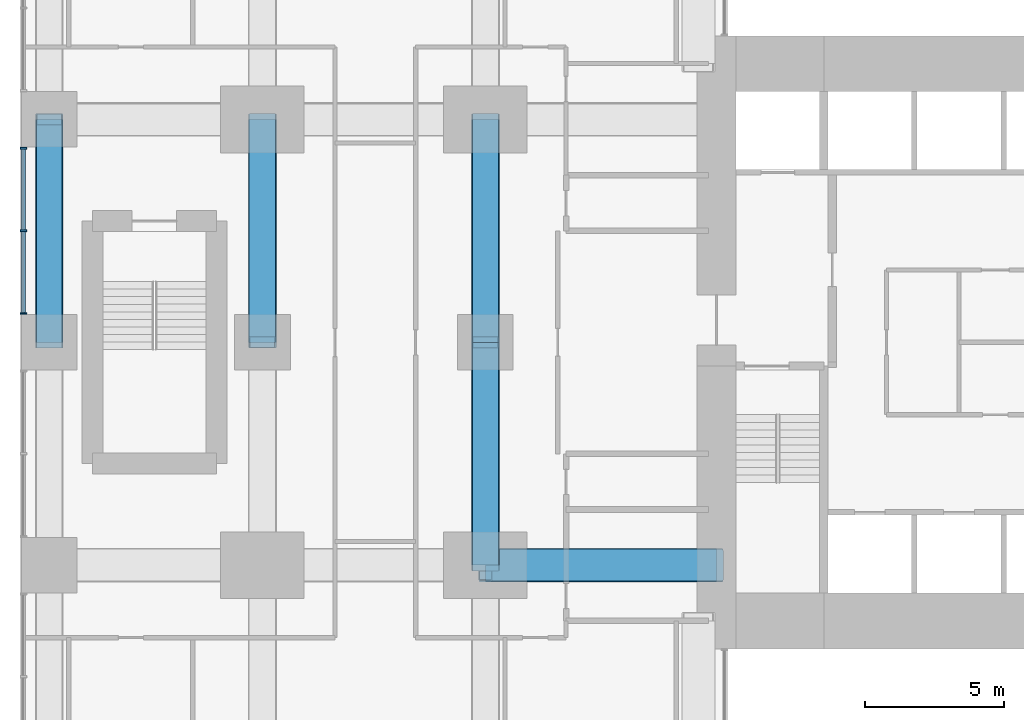
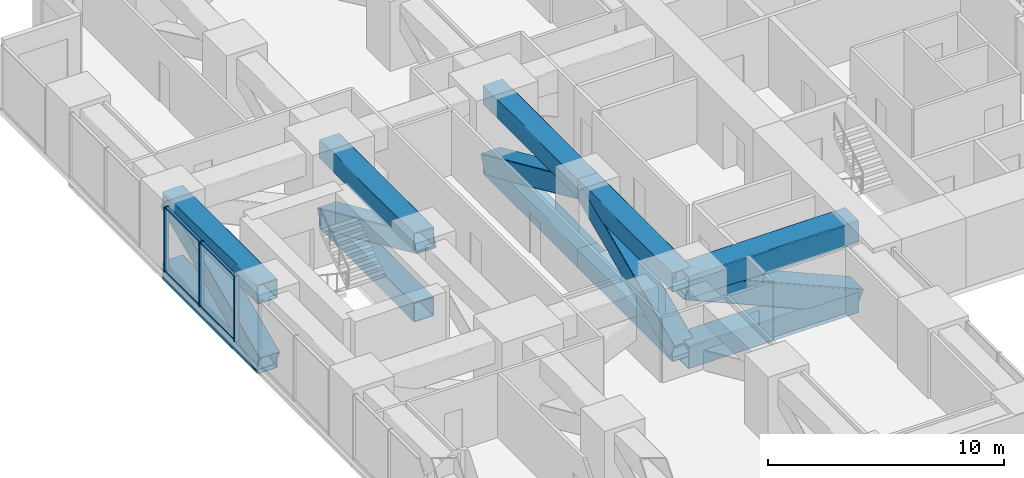
# One storey, part 3 of 15: 22 members, 1 element without a shape of its own.
"""IFC4 building model written with IfcOpenShell, lengths in metres."""

from ifc_helpers import new_model, si_unit, direction, frame, origin, origin_2d, place, context, subcontext, project, spatial, rectangle, hollow_rectangle, extrude, material, layer, layer_set, material_profile, profile_set, type_object, element, aggregate, save


model = new_model("IFC4")

# Units and contexts
model_context = context("Model", 3, precision=1e-05, world=origin(), true_north=direction((0.0, 1.0)))
body_context = subcontext(model_context, "Body", "Model", "MODEL_VIEW")
ifc_project = project(units=[si_unit("LENGTHUNIT", "METRE"), si_unit("AREAUNIT", "SQUARE_METRE"), si_unit("VOLUMEUNIT", "CUBIC_METRE"), si_unit("PLANEANGLEUNIT", "RADIAN"), si_unit("MASSUNIT", "GRAM", prefix="KILO")], contexts=[model_context])

# Site, building, storey
site_placement = place(None, origin())
site = spatial("IfcSite", under=ifc_project, at=site_placement, CompositionType="ELEMENT")
building_placement = place(site_placement, origin())
building = spatial("IfcBuilding", under=site, at=building_placement, Name="Cleftline Residences", CompositionType="ELEMENT")
storey_placement = place(building_placement, frame((0.0, 0.0, 132.199951171875)))
storey = spatial("IfcBuildingStorey", under=building, at=storey_placement, Name="L34", CompositionType="ELEMENT", Elevation=132.199951171875)

# Members
ifc_material_1 = material(Name="Steel S355", Category="steel")
ifc_material_profile_1 = material_profile(ifc_material_1, hollow_rectangle(XDim=1.0, YDim=1.0, WallThickness=0.0400390625, InnerFilletRadius=0.0400390625, OuterFilletRadius=0.06005859375, at=origin_2d()))
ifc_profile_set_1 = profile_set([ifc_material_profile_1], Name="Steel S355")
member_type_1 = type_object("IfcMemberType", Name="BRACE BOX 1000X1000X40", PredefinedType="BRACE", material=ifc_profile_set_1)
for number, where, z_axis, x_axis, name in (
    (1, (0.35009765625, 24.0, -0.75), (0.0, 0.91191733938, 0.410373934525), (0.0, -0.410373934525, 0.91191733938), "Belt truss diagonal"),
    (2, (8.0, 24.0, 2.85009765625), (0.0, 0.91191733938, -0.410373934525), (0.0, 0.410373934525, 0.91191733938), "Belt truss diagonal"),
    (3, (16.0, 16.0, -0.75), (0.0, 0.91191733938, 0.410373934525), (0.0, -0.410373934525, 0.91191733938), "Belt truss diagonal"),
    (4, (16.0, 24.0, 2.85009765625), (0.0, 0.91191733938, -0.410373934525), (0.0, 0.410373934525, 0.91191733938), "Belt truss diagonal"),
):
    element("IfcMember", number, at=place(storey_placement, frame(where, z_axis=z_axis, x_axis=x_axis)), inside=storey, type_object=member_type_1, Name=name, PredefinedType="BRACE", context=body_context, shape_type="SweptSolid", body=[
        extrude(hollow_rectangle(XDim=1.0, YDim=1.0, WallThickness=0.0400390625, InnerFilletRadius=0.0400390625, OuterFilletRadius=0.06005859375, at=origin_2d()), origin(), (0.0, 0.0, 1.0), 8.772705078125),
    ])
ifc_material_2 = material(Name="Steel S355", Category="steel")
ifc_material_profile_2 = material_profile(ifc_material_2, hollow_rectangle(XDim=1.199951171875, YDim=1.199951171875, WallThickness=0.06005859375, InnerFilletRadius=0.06005859375, OuterFilletRadius=0.090087890625, at=origin_2d()))
ifc_profile_set_2 = profile_set([ifc_material_profile_2], Name="Steel S355")
member_type_2 = type_object("IfcMemberType", Name="BRACE BOX 1200X1200X60", PredefinedType="BRACE", material=ifc_profile_set_2)
member_1_placement = place(storey_placement, frame((24.300048828125, 16.0, -0.849853515625), z_axis=(-0.917427920438, 0.0, 0.397902011556), x_axis=(0.397902011556, 0.0, 0.917427920438)))
element("IfcMember", 5, at=member_1_placement, inside=storey, type_object=member_type_2, Name="Outrigger truss diagonal", PredefinedType="BRACE", context=body_context, shape_type="SweptSolid", body=[
    extrude(hollow_rectangle(XDim=1.199951171875, YDim=1.199951171875, WallThickness=0.06005859375, InnerFilletRadius=0.06005859375, OuterFilletRadius=0.090087890625, at=origin_2d()), origin(), (0.0, 0.0, 1.0), 9.047119140625),
])
ifc_material_3 = material(Name="Steel S355", Category="steel")
ifc_material_profile_3 = material_profile(ifc_material_3, hollow_rectangle(XDim=1.0, YDim=1.0, WallThickness=0.0400390625, InnerFilletRadius=0.0400390625, OuterFilletRadius=0.06005859375, at=origin_2d()))
ifc_profile_set_3 = profile_set([ifc_material_profile_3], Name="Steel S355")
member_type_3 = type_object("IfcMemberType", Name="CHORD BOX 1000X1000X40", PredefinedType="CHORD", material=ifc_profile_set_3)
for number, where, z_axis, x_axis, name in (
    (6, (0.35009765625, 24.0, -0.75), (0.0, 1.0, 0.0), (-1.0, 0.0, 0.0), "Belt truss bottom chord"),
    (7, (0.35009765625, 24.0, 2.85009765625), (0.0, 1.0, 0.0), (-1.0, 0.0, 0.0), "Belt truss top chord"),
    (8, (8.0, 24.0, -0.75), (0.0, 1.0, 0.0), (-1.0, 0.0, 0.0), "Belt truss bottom chord"),
    (9, (8.0, 24.0, 2.85009765625), (0.0, 1.0, 0.0), (-1.0, 0.0, 0.0), "Belt truss top chord"),
    (10, (16.0, 16.0, -0.75), (0.0, 1.0, 0.0), (-1.0, 0.0, 0.0), "Belt truss bottom chord"),
    (11, (16.0, 16.0, 2.85009765625), (0.0, 1.0, 0.0), (-1.0, 0.0, 0.0), "Belt truss top chord"),
    (12, (16.0, 24.0, -0.75), (0.0, 1.0, 0.0), (-1.0, 0.0, 0.0), "Belt truss bottom chord"),
    (13, (16.0, 24.0, 2.85009765625), (0.0, 1.0, 0.0), (-1.0, 0.0, 0.0), "Belt truss top chord"),
):
    element("IfcMember", number, at=place(storey_placement, frame(where, z_axis=z_axis, x_axis=x_axis)), inside=storey, type_object=member_type_3, Name=name, PredefinedType="CHORD", context=body_context, shape_type="SweptSolid", body=[
        extrude(hollow_rectangle(XDim=1.0, YDim=1.0, WallThickness=0.0400390625, InnerFilletRadius=0.0400390625, OuterFilletRadius=0.06005859375, at=origin_2d()), origin(), (0.0, 0.0, 1.0), 8.0),
    ])
ifc_material_4 = material(Name="Steel S355", Category="steel")
ifc_material_profile_4 = material_profile(ifc_material_4, hollow_rectangle(XDim=1.199951171875, YDim=1.199951171875, WallThickness=0.06005859375, InnerFilletRadius=0.06005859375, OuterFilletRadius=0.090087890625, at=origin_2d()))
ifc_profile_set_4 = profile_set([ifc_material_profile_4], Name="Steel S355")
member_type_4 = type_object("IfcMemberType", Name="CHORD BOX 1200X1200X60", PredefinedType="CHORD", material=ifc_profile_set_4)
for number, where, z_axis, x_axis, name in (
    (14, (24.300048828125, 16.0, -0.849853515625), (-1.0, 0.0, 0.0), (0.0, -1.0, 0.0), "Outrigger truss bottom chord"),
    (15, (24.300048828125, 16.0, 2.75), (-1.0, 0.0, 0.0), (0.0, -1.0, 0.0), "Outrigger truss top chord"),
):
    element("IfcMember", number, at=place(storey_placement, frame(where, z_axis=z_axis, x_axis=x_axis)), inside=storey, type_object=member_type_4, Name=name, PredefinedType="CHORD", context=body_context, shape_type="SweptSolid", body=[
        extrude(hollow_rectangle(XDim=1.199951171875, YDim=1.199951171875, WallThickness=0.06005859375, InnerFilletRadius=0.06005859375, OuterFilletRadius=0.090087890625, at=origin_2d()), origin(), (0.0, 0.0, 1.0), 8.300048828125),
    ])

# Curtain wall, members
ifc_material_5 = material(Name="Aluminium framed curtain wall", Category="aluminium")
ifc_layer = layer(ifc_material_5, 0.199951171875)
ifc_layer_set = layer_set([ifc_layer], Name="CW4 SKY LOUNGE GLAZING")
curtain_wall_type = type_object("IfcCurtainWallType", Name="CW4 SKY LOUNGE GLAZING", PredefinedType="NOTDEFINED", material=ifc_layer_set)
curtain_wall_placement = place(storey_placement, origin())
curtain_wall = element("IfcCurtainWall", 16, at=curtain_wall_placement, inside=storey, type_object=curtain_wall_type, Name="Curtain wall CW4", PredefinedType="NOTDEFINED")
ifc_material_6 = material(Name="Aluminium mullion", Category="aluminium")
ifc_material_profile_5 = material_profile(ifc_material_6, rectangle(XDim=0.219970703125, YDim=0.06494140625, at=origin_2d()))
ifc_profile_set_5 = profile_set([ifc_material_profile_5], Name="Aluminium mullion")
member_type_5 = type_object("IfcMemberType", Name="CW4 MULLION", PredefinedType="MULLION", material=ifc_profile_set_5)
member_2_placement = place(storey_placement, frame((-0.574951171875, 30.967529296875, 0.0), z_axis=(0.0, 0.0, 1.0), x_axis=(1.0, 0.0, 0.0)))
member_2 = element("IfcMember", 17, at=member_2_placement, type_object=member_type_5, Name="CW4 mullion 1", PredefinedType="MULLION", context=body_context, shape_type="SweptSolid", body=[
    extrude(rectangle(XDim=0.219970703125, YDim=0.06494140625, at=origin_2d()), origin(), (0.0, 0.0, 1.0), 3.35009765625),
])
member_3_placement = place(storey_placement, frame((-0.574951171875, 28.0, 0.0), z_axis=(0.0, 0.0, 1.0), x_axis=(1.0, 0.0, 0.0)))
member_3 = element("IfcMember", 18, at=member_3_placement, type_object=member_type_5, Name="CW4 mullion 2", PredefinedType="MULLION", context=body_context, shape_type="SweptSolid", body=[
    extrude(rectangle(XDim=0.219970703125, YDim=0.06494140625, at=origin_2d()), origin(), (0.0, 0.0, 1.0), 3.35009765625),
])
member_4_placement = place(storey_placement, frame((-0.574951171875, 25.032470703125, 0.0), z_axis=(0.0, 0.0, 1.0), x_axis=(1.0, 0.0, 0.0)))
member_4 = element("IfcMember", 19, at=member_4_placement, type_object=member_type_5, Name="CW4 mullion 3", PredefinedType="MULLION", context=body_context, shape_type="SweptSolid", body=[
    extrude(rectangle(XDim=0.219970703125, YDim=0.06494140625, at=origin_2d()), origin(), (0.0, 0.0, 1.0), 3.35009765625),
])
ifc_material_7 = material(Name="Aluminium transom", Category="aluminium")
ifc_material_profile_6 = material_profile(ifc_material_7, rectangle(XDim=0.132080078125, YDim=0.06494140625, at=origin_2d()))
ifc_profile_set_6 = profile_set([ifc_material_profile_6], Name="Aluminium transom")
member_type_6 = type_object("IfcMemberType", Name="CW4 TRANSOM", PredefinedType="USERDEFINED", material=ifc_profile_set_6)
member_5_placement = place(storey_placement, frame((-0.574951171875, 30.93505859375, 0.032470703125), z_axis=(0.0, -1.0, 0.0), x_axis=(1.0, 0.0, 0.0)))
member_5 = element("IfcMember", 20, at=member_5_placement, type_object=member_type_6, Name="CW4 transom 1.1", ObjectType="TRANSOM", PredefinedType="USERDEFINED", context=body_context, shape_type="SweptSolid", body=[
    extrude(rectangle(XDim=0.132080078125, YDim=0.06494140625, at=origin_2d()), origin(), (0.0, 0.0, 1.0), 2.902587890625),
])
member_6_placement = place(storey_placement, frame((-0.574951171875, 30.93505859375, 3.317626953125), z_axis=(0.0, -1.0, 0.0), x_axis=(1.0, 0.0, 0.0)))
member_6 = element("IfcMember", 21, at=member_6_placement, type_object=member_type_6, Name="CW4 transom 1.2", ObjectType="TRANSOM", PredefinedType="USERDEFINED", context=body_context, shape_type="SweptSolid", body=[
    extrude(rectangle(XDim=0.132080078125, YDim=0.06494140625, at=origin_2d()), origin(), (0.0, 0.0, 1.0), 2.902587890625),
])
member_7_placement = place(storey_placement, frame((-0.574951171875, 27.967529296875, 0.032470703125), z_axis=(0.0, -1.0, 0.0), x_axis=(1.0, 0.0, 0.0)))
member_7 = element("IfcMember", 22, at=member_7_placement, type_object=member_type_6, Name="CW4 transom 2.1", ObjectType="TRANSOM", PredefinedType="USERDEFINED", context=body_context, shape_type="SweptSolid", body=[
    extrude(rectangle(XDim=0.132080078125, YDim=0.06494140625, at=origin_2d()), origin(), (0.0, 0.0, 1.0), 2.902587890625),
])
member_8_placement = place(storey_placement, frame((-0.574951171875, 27.967529296875, 3.317626953125), z_axis=(0.0, -1.0, 0.0), x_axis=(1.0, 0.0, 0.0)))
member_8 = element("IfcMember", 23, at=member_8_placement, type_object=member_type_6, Name="CW4 transom 2.2", ObjectType="TRANSOM", PredefinedType="USERDEFINED", context=body_context, shape_type="SweptSolid", body=[
    extrude(rectangle(XDim=0.132080078125, YDim=0.06494140625, at=origin_2d()), origin(), (0.0, 0.0, 1.0), 2.902587890625),
])
aggregate(curtain_wall, [member_2, member_3, member_4, member_5, member_6, member_7, member_8])

save(model, "model.ifc")
